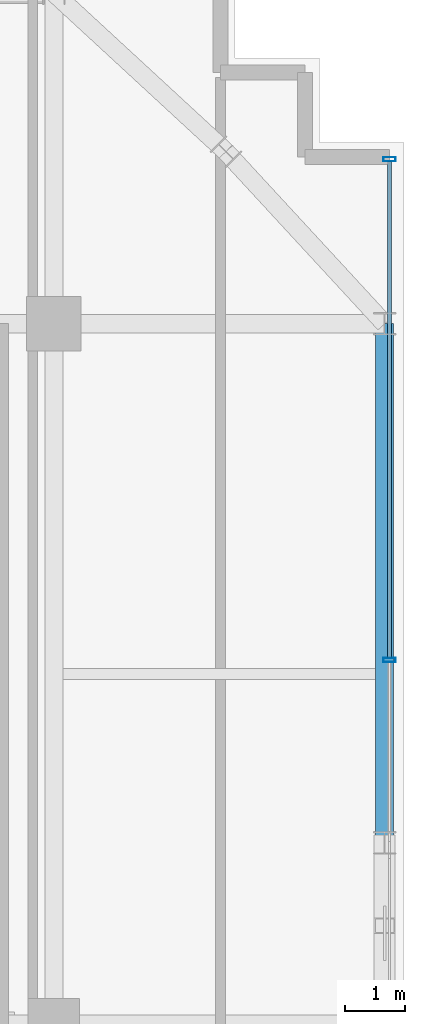
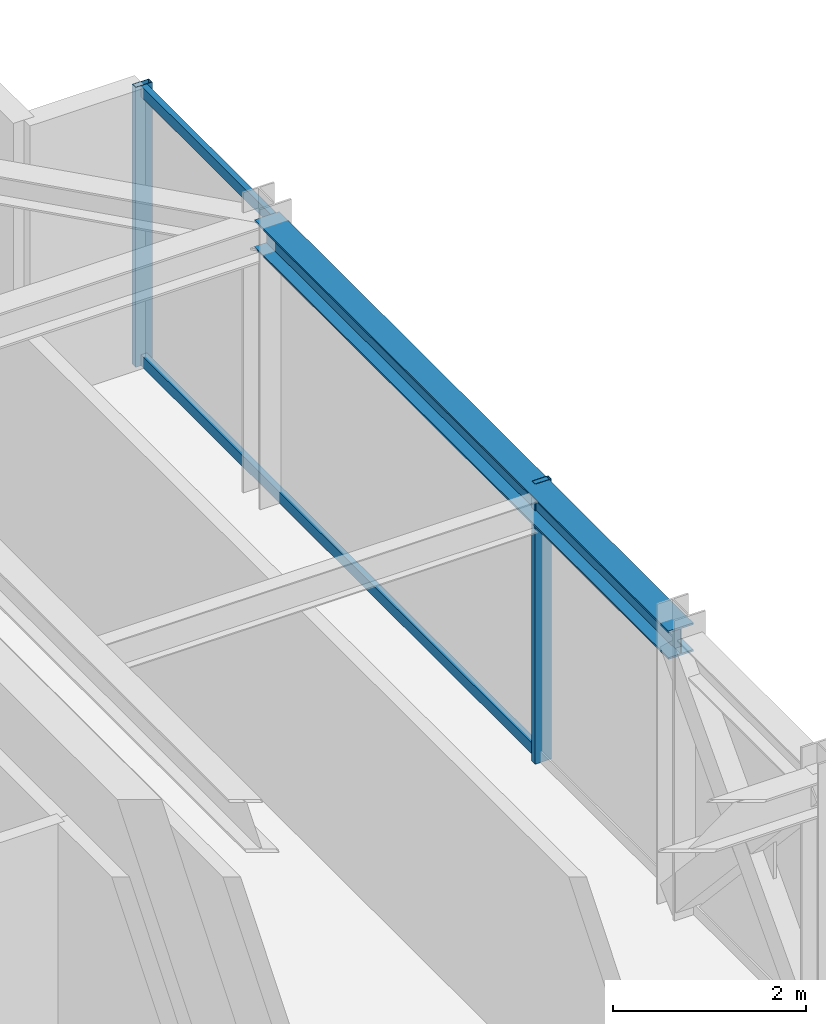
# One storey, part 31 of 41: 4 members, 1 beam, 1 element without a shape of its own.
"""IFC4 building model written with IfcOpenShell, lengths in metres."""

from ifc_helpers import new_model, si_unit, direction, frame, origin, origin_2d, place, context, subcontext, project, spatial, hollow_rectangle, i_section, extrude, source, transform, mapped, material, material_profile, profile_set, type_object, element, aggregate, save


model = new_model("IFC4")

# Units and contexts
model_context = context("Model", 3, precision=1e-05, world=origin(), true_north=direction((0.0, 1.0)))
body_context = subcontext(model_context, "Body", "Model", "MODEL_VIEW")
ifc_project = project(units=[si_unit("LENGTHUNIT", "METRE"), si_unit("AREAUNIT", "SQUARE_METRE"), si_unit("VOLUMEUNIT", "CUBIC_METRE"), si_unit("PLANEANGLEUNIT", "RADIAN"), si_unit("MASSUNIT", "GRAM", prefix="KILO")], contexts=[model_context])

# Site, building, storey
site_placement = place(None, origin())
site = spatial("IfcSite", under=ifc_project, at=site_placement, CompositionType="ELEMENT")
building_placement = place(site_placement, origin())
building = spatial("IfcBuilding", under=site, at=building_placement, Name="Nahalor Promenade Grand Hotel", CompositionType="ELEMENT")
storey_placement = place(building_placement, frame((0.0, 0.0, 304.199951171875)))
storey = spatial("IfcBuildingStorey", under=building, at=storey_placement, Name="L78", CompositionType="ELEMENT", Elevation=304.199951171875)

# Beam
ifc_material_1 = material(Name="Steel S355JR", Category="steel")
ifc_material_profile_1 = material_profile(ifc_material_1, i_section(OverallWidth=0.3, OverallDepth=0.36, WebThickness=0.0125, FlangeThickness=0.0225, at=origin_2d()), Name="HEB 360")
ifc_profile_set_1 = profile_set([ifc_material_profile_1], Name="Steel S355JR")
beam_type = type_object("IfcBeamType", Name="Beam-Spandrel-HEB360", PredefinedType="SPANDREL", material=ifc_profile_set_1)
shared_shape_1 = source(origin(), body_context, "Body", "SweptSolid", [
    extrude(i_section(OverallWidth=0.3, OverallDepth=0.36, WebThickness=0.0125, FlangeThickness=0.0225, at=origin_2d()), origin(), (0.0, 0.0, 1.0), 8.60009765625),
])
beam_placement = place(storey_placement, frame((22.47998046875, 8.39990234375, 3.3701171875), z_axis=(0.0, 1.0, 0.0), x_axis=(-1.0, 0.0, 0.0)))
element("IfcBeam", 1, at=beam_placement, inside=storey, type_object=beam_type, Name="BM-L78-SP-E-4", PredefinedType="SPANDREL", context=body_context, shape_type="MappedRepresentation", body=[
    mapped(shared_shape_1, transform((0.0, 0.0, 0.0), scale=1.0)),
])

# Curtain wall, members
ifc_material_2 = material(Name="Anodised Bronze Aluminium EN AW-6063 T6", Category="aluminium")
curtain_wall_type = type_object("IfcCurtainWallType", Name="CW3 Elliptical-Void Collar Unitised Curtain Wall", PredefinedType="USERDEFINED", material=ifc_material_2)
curtain_wall_placement = place(storey_placement, origin())
curtain_wall = element("IfcCurtainWall", 2, at=curtain_wall_placement, inside=storey, type_object=curtain_wall_type, Name="L78 Curtain Wall CW-L78-E-2", ObjectType="UNITISED_CURTAIN_WALL", PredefinedType="USERDEFINED")
ifc_material_profile_2 = material_profile(ifc_material_2, hollow_rectangle(XDim=0.07, YDim=0.14, WallThickness=0.004, at=origin_2d()), Name="CWT 70x140x4")
ifc_profile_set_2 = profile_set([ifc_material_profile_2], Name="Anodised Bronze Aluminium EN AW-6063 T6")
member_type_1 = type_object("IfcMemberType", Name="CWT3 Void Collar Transom 70x140", PredefinedType="USERDEFINED", material=ifc_profile_set_2)
shared_shape_2 = source(origin(), body_context, "Body", "SweptSolid", [
    extrude(hollow_rectangle(XDim=0.07, YDim=0.14, WallThickness=0.004, at=origin_2d()), origin(), (0.0, 0.0, 1.0), 8.224853515625),
])
member_1_placement = place(storey_placement, frame((22.56005859375, 11.465087890625, 0.070068359375), z_axis=(0.0, 1.0, 0.0), x_axis=(-1.0, 0.0, 0.0)))
member_1 = element("IfcMember", 3, at=member_1_placement, type_object=member_type_1, Name="CW-L78-E-2 Transom 1-0", ObjectType="TRANSOM", PredefinedType="USERDEFINED", context=body_context, shape_type="MappedRepresentation", body=[
    mapped(shared_shape_2, transform((0.0, 0.0, 0.0), scale=1.0)),
])
member_2_placement = place(storey_placement, frame((22.56005859375, 11.465087890625, 3.47998046875), z_axis=(0.0, 1.0, 0.0), x_axis=(-1.0, 0.0, 0.0)))
member_2 = element("IfcMember", 4, at=member_2_placement, type_object=member_type_1, Name="CW-L78-E-2 Transom 1-1", ObjectType="TRANSOM", PredefinedType="USERDEFINED", context=body_context, shape_type="MappedRepresentation", body=[
    mapped(shared_shape_2, transform((0.0, 0.0, 0.0), scale=1.0)),
])
ifc_material_profile_3 = material_profile(ifc_material_2, hollow_rectangle(XDim=0.07, YDim=0.2, WallThickness=0.005, at=origin_2d()), Name="CWM 70x200x5")
ifc_profile_set_3 = profile_set([ifc_material_profile_3], Name="Anodised Bronze Aluminium EN AW-6063 T6")
member_type_2 = type_object("IfcMemberType", Name="CWM3 Void Collar Mullion 70x200", PredefinedType="MULLION", material=ifc_profile_set_3)
shared_shape_3 = source(origin(), body_context, "Body", "SweptSolid", [
    extrude(hollow_rectangle(XDim=0.07, YDim=0.2, WallThickness=0.005, at=origin_2d()), origin(), (0.0, 0.0, 1.0), 3.550048828125),
])
member_3_placement = place(storey_placement, frame((22.56005859375, 11.429931640625, 0.0), z_axis=(0.0, 0.0, 1.0), x_axis=(0.0, 1.0, 0.0)))
member_3 = element("IfcMember", 5, at=member_3_placement, type_object=member_type_2, Name="CW-L78-E-2 Mullion 1", PredefinedType="MULLION", context=body_context, shape_type="MappedRepresentation", body=[
    mapped(shared_shape_3, transform((0.0, 0.0, 0.0), scale=1.0)),
])
member_4_placement = place(storey_placement, frame((22.56005859375, 19.72509765625, 0.0), z_axis=(0.0, 0.0, 1.0), x_axis=(0.0, 1.0, 0.0)))
member_4 = element("IfcMember", 6, at=member_4_placement, type_object=member_type_2, Name="CW-L78-E-2 Mullion 2", PredefinedType="MULLION", context=body_context, shape_type="MappedRepresentation", body=[
    mapped(shared_shape_3, transform((0.0, 0.0, 0.0), scale=1.0)),
])
aggregate(curtain_wall, [member_3, member_4, member_1, member_2])

save(model, "model.ifc")
